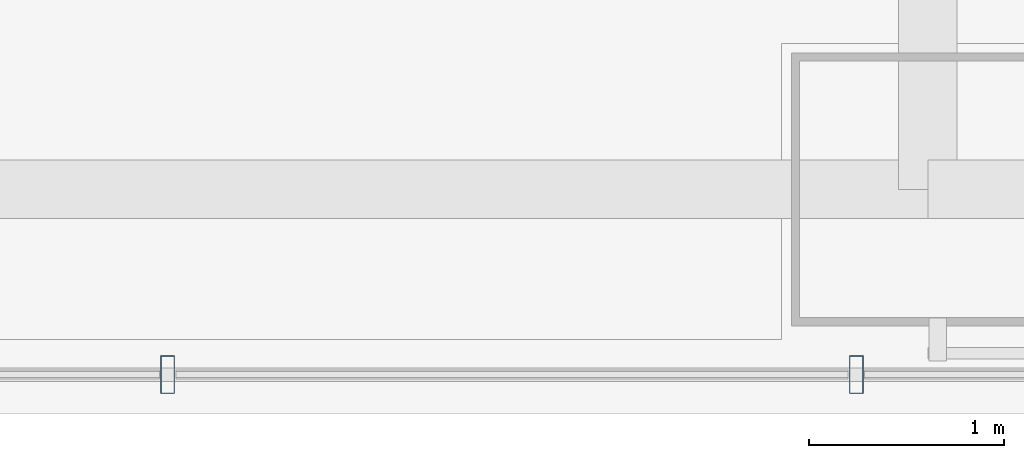
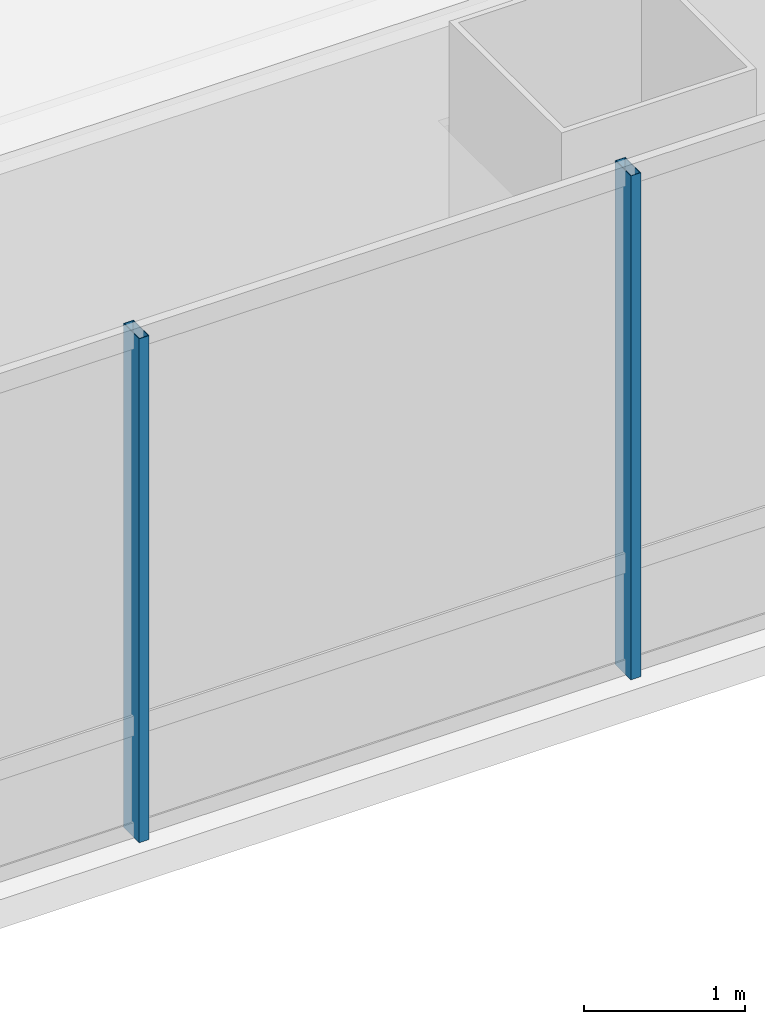
# One storey, part 7 of 38: 2 members, 1 element without a shape of its own.
"""IFC4 building model written with IfcOpenShell, lengths in metres."""

import ifcopenshell
import ifcopenshell.guid

model = None  # the IFC model being written
_history = None  # IfcOwnerHistory: only IFC2X3 demands one
_inside = {}  # id of a spatial element -> (the spatial element, [elements in it])
_under = {}  # id of a project, library or spatial element -> (it, [spatial elements below it])
_declared = {}  # id of a project -> (the project, [libraries it declares])
_typed = {}  # id of a type object -> (the type object, [elements of that type])
_made_of = {}  # id of a material, layer set ... -> (it, [elements and type objects made of it])


def new_model(schema):
    """Start an empty IFC model of exactly this schema.

    Asked for "IFC4X3", IfcOpenShell would pick the latest addendum, in which some entities
    have other attributes; the version numbers below select the first issue.
    IFC2X3 requires an IfcOwnerHistory on every rooted entity: one is made here for all.
    """
    global model, _history
    if schema == "IFC4X3":
        model = ifcopenshell.file(schema_version=(4, 3, 0, 0))
    else:
        model = ifcopenshell.file(schema=schema)
    _inside.clear()
    _under.clear()
    _declared.clear()
    _typed.clear()
    _made_of.clear()
    _history = None
    if model.schema == "IFC2X3":
        org = make("IfcOrganization", Name="unknown")
        user = make(
            "IfcPersonAndOrganization",
            ThePerson=make("IfcPerson", FamilyName="unknown"),
            TheOrganization=org,
        )
        app = make(
            "IfcApplication",
            ApplicationDeveloper=org,
            Version="unknown",
            ApplicationFullName="unknown",
            ApplicationIdentifier="unknown",
        )
        _history = make(
            "IfcOwnerHistory",
            OwningUser=user,
            OwningApplication=app,
            ChangeAction="ADDED",
            CreationDate=0,
        )
    return model


def make(cls, **values):
    """One entity of the class cls with the attributes given. An attribute that is None is left unset."""
    return model.create_entity(
        cls, **{name: value for name, value in values.items() if value is not None}
    )


def rooted(cls, **values):
    """An entity with a GlobalId (a new one), such as an element, a storey or a relation."""
    return make(cls, GlobalId=ifcopenshell.guid.new(), OwnerHistory=_history, **values)


def si_unit(unit_type, name, prefix=None):
    """IfcSIUnit, for example si_unit("LENGTHUNIT", "METRE", prefix="MILLI")."""
    return make("IfcSIUnit", UnitType=unit_type, Prefix=prefix, Name=name)


def assignment(units):
    """IfcUnitAssignment: the units of a project."""
    return None if units is None else make("IfcUnitAssignment", Units=units)


def point(xyz):
    """IfcCartesianPoint."""
    return None if xyz is None else make("IfcCartesianPoint", Coordinates=xyz)


def direction(xyz):
    """IfcDirection."""
    return None if xyz is None else make("IfcDirection", DirectionRatios=xyz)


def frame(location, z_axis=None, x_axis=None):
    """IfcAxis2Placement3D, a coordinate frame: its origin and axes. An axis left out is left unset."""
    return make(
        "IfcAxis2Placement3D",
        Location=point(location),
        Axis=direction(z_axis),
        RefDirection=direction(x_axis),
    )


def frame_2d(location, x_axis=None):
    """IfcAxis2Placement2D, a coordinate frame in the plane: its origin and x axis."""
    return make(
        "IfcAxis2Placement2D", Location=point(location), RefDirection=direction(x_axis)
    )


def origin():
    """The frame at (0, 0, 0) with its axes left unset."""
    return frame((0.0, 0.0, 0.0))


def origin_2d():
    """The frame at (0, 0) in the plane with its x axis left unset."""
    return frame_2d((0.0, 0.0))


def place(relative_to, where):
    """IfcLocalPlacement: puts the frame where relative to a parent placement (None: the world)."""
    return make(
        "IfcLocalPlacement", PlacementRelTo=relative_to, RelativePlacement=where
    )


def context(
    kind, dimensions, precision=None, world=None, true_north=None, identifier=None
):
    """IfcGeometricRepresentationContext, for example the 3D "Model" context."""
    return make(
        "IfcGeometricRepresentationContext",
        ContextIdentifier=identifier,
        ContextType=kind,
        CoordinateSpaceDimension=dimensions,
        Precision=precision,
        WorldCoordinateSystem=world,
        TrueNorth=true_north,
    )


def subcontext(parent, identifier, kind, view, scale=None):
    """IfcGeometricRepresentationSubContext, for example "Body" below "Model"."""
    return make(
        "IfcGeometricRepresentationSubContext",
        ContextIdentifier=identifier,
        ContextType=kind,
        ParentContext=parent,
        TargetScale=scale,
        TargetView=view,
    )


def project(units=None, contexts=None):
    """IfcProject with its units and contexts."""
    return rooted(
        "IfcProject",
        Name="project",
        RepresentationContexts=contexts,
        UnitsInContext=assignment(units),
    )


def spatial(cls, under=None, at=None, **own):
    """A site, building, storey or space (cls), placed at a placement, below another one or the project."""
    s = rooted(cls, ObjectPlacement=at, **own)
    if under is not None:
        _under.setdefault(under.id(), (under, []))[1].append(s)
    return s


def profile(cls, at=None, kind="AREA", **sizes):
    """A parametric profile (cls). Its sizes go by their IFC names, for example OverallWidth=200.0."""
    return make(cls, ProfileType=kind, Position=at, **sizes)


def hollow_rectangle(**sizes):
    """IfcRectangleHollowProfileDef."""
    return profile("IfcRectangleHollowProfileDef", **sizes)


def extrude(swept, where, along, depth):
    """IfcExtrudedAreaSolid: the profile swept, set in the frame where, extruded along a direction by depth."""
    return make(
        "IfcExtrudedAreaSolid",
        SweptArea=swept,
        Position=where,
        ExtrudedDirection=direction(along),
        Depth=depth,
    )


def shape(context_of_items, identifier, shape_type, items):
    """IfcShapeRepresentation: the items that make up one representation, for example the "Body"."""
    return make(
        "IfcShapeRepresentation",
        ContextOfItems=context_of_items,
        RepresentationIdentifier=identifier,
        RepresentationType=shape_type,
        Items=items,
    )


def material(Name=None, Category=None):
    """IfcMaterial."""
    return make("IfcMaterial", Name=Name, Category=Category)


def material_profile(
    of_material, cross_section, Name=None, Category=None, Priority=None
):
    """IfcMaterialProfile: a cross section and its material."""
    return make(
        "IfcMaterialProfile",
        Name=Name,
        Material=of_material,
        Profile=cross_section,
        Priority=Priority,
        Category=Category,
    )


def profile_set(profiles, Name=None, composite=None):
    """IfcMaterialProfileSet."""
    return make(
        "IfcMaterialProfileSet",
        Name=Name,
        MaterialProfiles=profiles,
        CompositeProfile=composite,
    )


def made_of(thing, what):
    """Note that an element or type object is made of a material, layer set ...; save() writes the relation."""
    if what is not None:
        _made_of.setdefault(what.id(), (what, []))[1].append(thing)
    return thing


def type_object(cls, material=None, **own):
    """A type object (cls), such as IfcWallType, which elements share."""
    return made_of(rooted(cls, **own), material)


def element(
    cls,
    number,
    at=None,
    inside=None,
    cuts=None,
    type_object=None,
    material=None,
    context=None,
    identifier="Body",
    shape_type=None,
    held_by="IfcProductDefinitionShape",
    body=None,
    shapes=None,
    **own,
):
    """One element of the class cls, such as IfcWall. Its Tag is "e" and its number.

    at: its placement. inside: the storey or other place that contains it. cuts: it is an
    opening in that element (IfcRelVoidsElement). A single representation is given by context,
    identifier, shape_type and body (its items); several are given by shapes. held_by: the class
    of the entity that holds the representations. save() writes the other relations.
    """
    e = rooted(cls, Tag="e%d" % number, ObjectPlacement=at, **own)
    if body is not None:
        shapes = [shape(context, identifier, shape_type, body)]
    if shapes is not None:
        e.Representation = make(held_by, Representations=shapes)
    if inside is not None:
        _inside.setdefault(inside.id(), (inside, []))[1].append(e)
    if cuts is not None:
        rooted(
            "IfcRelVoidsElement", RelatingBuildingElement=cuts, RelatedOpeningElement=e
        )
    if type_object is not None:
        _typed.setdefault(type_object.id(), (type_object, []))[1].append(e)
    return made_of(e, material)


def aggregate(whole, parts):
    """IfcRelAggregates: a whole, such as a stair, and the parts it consists of."""
    return rooted("IfcRelAggregates", RelatingObject=whole, RelatedObjects=parts)


def save(model, path):
    """Write the relations noted so far, then the file.

    IfcRelAggregates (storeys below a building ...), IfcRelContainedInSpatialStructure (elements
    in a storey), IfcRelDefinesByType, IfcRelAssociatesMaterial and IfcRelDeclares: one each for
    every whole, place, type object, material and project.
    """
    for whole, parts in _under.values():
        aggregate(whole, parts)
    for where, things in _inside.values():
        rooted(
            "IfcRelContainedInSpatialStructure",
            RelatedElements=things,
            RelatingStructure=where,
        )
    for kind, things in _typed.values():
        rooted("IfcRelDefinesByType", RelatedObjects=things, RelatingType=kind)
    for what, things in _made_of.values():
        rooted("IfcRelAssociatesMaterial", RelatedObjects=things, RelatingMaterial=what)
    for by, libraries in _declared.values():
        rooted("IfcRelDeclares", RelatingContext=by, RelatedDefinitions=libraries)
    model.write(path)


model = new_model("IFC4")

# Units and contexts
model_context = context("Model", 3, precision=1e-05, world=origin(), true_north=direction((0.0, 1.0)))
body_context = subcontext(model_context, "Body", "Model", "MODEL_VIEW")
ifc_project = project(units=[si_unit("LENGTHUNIT", "METRE"), si_unit("AREAUNIT", "SQUARE_METRE"), si_unit("VOLUMEUNIT", "CUBIC_METRE"), si_unit("PLANEANGLEUNIT", "RADIAN"), si_unit("MASSUNIT", "GRAM", prefix="KILO")], contexts=[model_context])

# Site, building, storey
site_placement = place(None, origin())
site = spatial("IfcSite", under=ifc_project, at=site_placement, CompositionType="ELEMENT")
building_placement = place(site_placement, origin())
building = spatial("IfcBuilding", under=site, at=building_placement, Name="Punatoya Terracotta Tower", CompositionType="ELEMENT")
storey_placement = place(building_placement, frame((0.0, 0.0, 160.050048828125)))
storey = spatial("IfcBuildingStorey", under=building, at=storey_placement, Name="L37", CompositionType="ELEMENT", Elevation=160.050048828125)

# Curtain wall, members
ifc_material_1 = material(Name="Aluminium 6063-T6 + Double Low-E Glass", Category="aluminium")
curtain_wall_type = type_object("IfcCurtainWallType", Name="CW-M2", PredefinedType="NOTDEFINED", material=ifc_material_1)
curtain_wall_placement = place(storey_placement, origin())
curtain_wall = element("IfcCurtainWall", 1, at=curtain_wall_placement, inside=storey, type_object=curtain_wall_type, Name="L37 Curtain Wall CW-L37-S01-1", PredefinedType="NOTDEFINED")
ifc_material_2 = material(Name="Aluminium 6063-T6", Category="aluminium")
ifc_material_profile = material_profile(ifc_material_2, hollow_rectangle(XDim=0.072021484375, YDim=0.195068359375, WallThickness=0.00439453125, at=origin_2d()))
ifc_profile_set = profile_set([ifc_material_profile], Name="Aluminium 6063-T6")
member_type = type_object("IfcMemberType", Name="CW-MUL-M2", PredefinedType="MULLION", material=ifc_profile_set)
member_1_placement = place(storey_placement, frame((-7.700927734375, -18.449951171875, 0.0), z_axis=(0.0, 0.0, 1.0), x_axis=(1.0, 0.0, 0.0)))
member_1 = element("IfcMember", 2, at=member_1_placement, type_object=member_type, Name="CW-L37-S01-1 Mullion 04", PredefinedType="MULLION", context=body_context, shape_type="SweptSolid", body=[
    extrude(hollow_rectangle(XDim=0.072021484375, YDim=0.195068359375, WallThickness=0.00439453125, at=origin_2d()), origin(), (0.0, 0.0, 1.0), 3.829833984375),
])
member_2_placement = place(storey_placement, frame((-4.1669921875, -18.449951171875, 0.0), z_axis=(0.0, 0.0, 1.0), x_axis=(1.0, 0.0, 0.0)))
member_2 = element("IfcMember", 3, at=member_2_placement, type_object=member_type, Name="CW-L37-S01-1 Mullion 05", PredefinedType="MULLION", context=body_context, shape_type="SweptSolid", body=[
    extrude(hollow_rectangle(XDim=0.072021484375, YDim=0.195068359375, WallThickness=0.00439453125, at=origin_2d()), origin(), (0.0, 0.0, 1.0), 3.829833984375),
])
aggregate(curtain_wall, [member_1, member_2])

save(model, "model.ifc")
